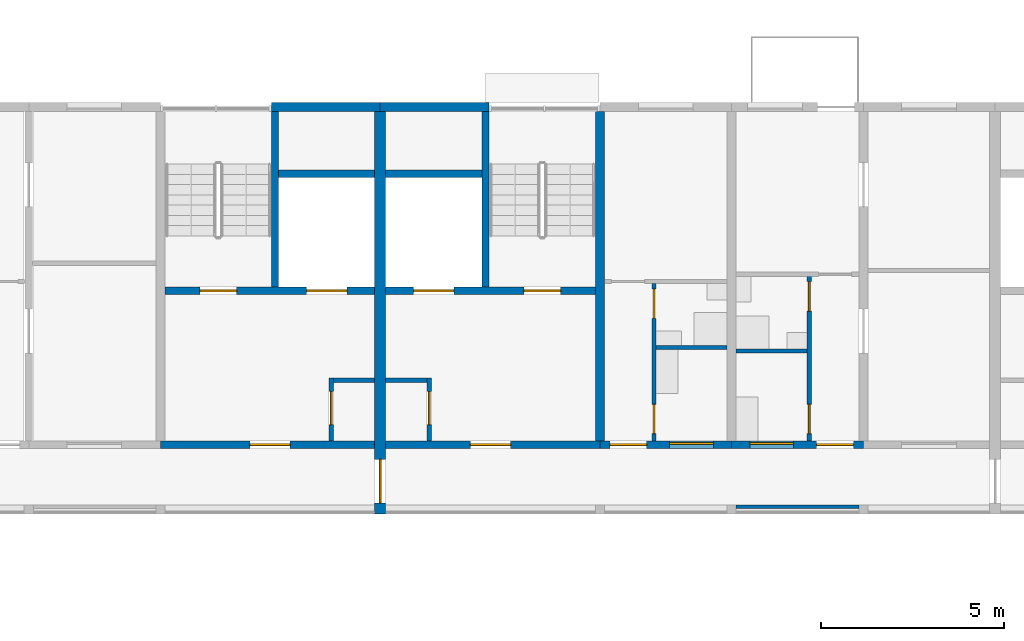
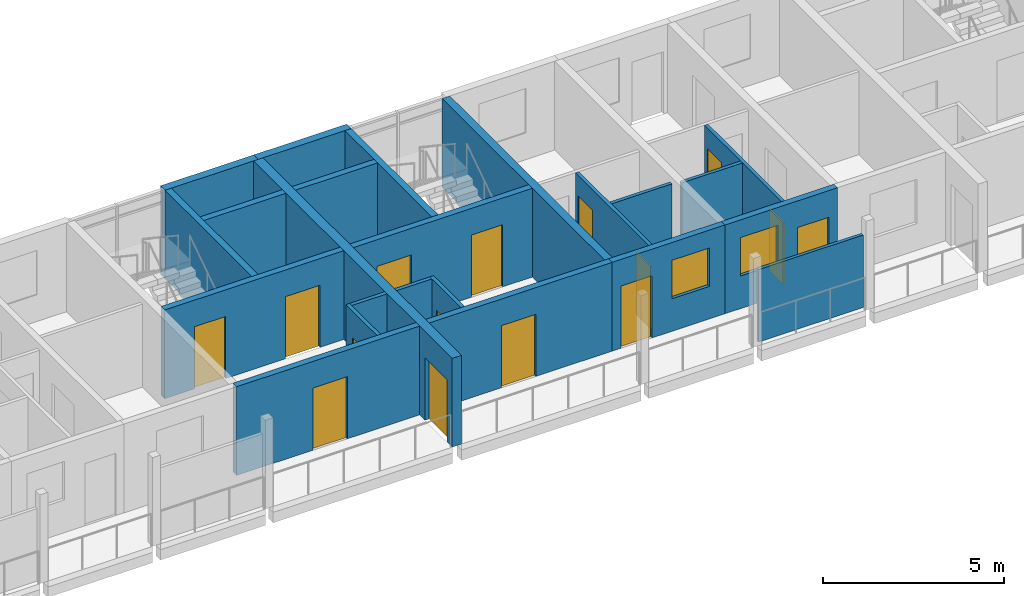
# One storey, part 77 of 122: 23 walls, 15 doors, 2 windows, 17 openings.
"""IFC4 building model written with IfcOpenShell, lengths in metres."""

from ifc_helpers import new_model, si_unit, direction, frame, frame_2d, origin, place, context, subcontext, project, spatial, rectangle, extrude, material, layer, layer_set, type_object, element, fill, save


model = new_model("IFC4")

# Units and contexts
model_context = context("Model", 3, precision=1e-05, world=origin(), true_north=direction((0.0, 1.0)))
body_context = subcontext(model_context, "Body", "Model", "MODEL_VIEW")
ifc_project = project(units=[si_unit("LENGTHUNIT", "METRE"), si_unit("AREAUNIT", "SQUARE_METRE"), si_unit("VOLUMEUNIT", "CUBIC_METRE"), si_unit("PLANEANGLEUNIT", "RADIAN"), si_unit("MASSUNIT", "GRAM", prefix="KILO")], contexts=[model_context])

# Site, building, storey
site_placement = place(None, origin())
site = spatial("IfcSite", under=ifc_project, at=site_placement, CompositionType="ELEMENT")
building_placement = place(site_placement, origin())
building = spatial("IfcBuilding", under=site, at=building_placement, Name="Ridgestep Commons", CompositionType="ELEMENT")
storey_placement = place(building_placement, frame((0.0, 0.0, 3.0)))
storey = spatial("IfcBuildingStorey", under=building, at=storey_placement, Name="L01", CompositionType="ELEMENT", Elevation=3.0)

# Wall
ifc_material_1 = material(Name="Concrete C30/37", Category="concrete")
ifc_layer_1 = layer(ifc_material_1, 0.25)
ifc_layer_set_1 = layer_set([ifc_layer_1], Name="Core cross wall 250")
wall_type_1 = type_object("IfcWallType", Name="Core cross wall 250", PredefinedType="SHEAR", material=ifc_layer_set_1)
wall_1_placement = place(storey_placement, frame((186.39990234375, 68.0, 0.0), z_axis=(0.0, 0.0, 1.0), x_axis=(0.0, 1.0, 0.0)))
element("IfcWall", 1, at=wall_1_placement, inside=storey, type_object=wall_type_1, Name="Cross wall C-01-1864", PredefinedType="SHEAR", context=body_context, shape_type="SweptSolid", body=[
    extrude(rectangle(XDim=9.0, YDim=0.25, at=frame_2d((4.5, 0.0))), origin(), (0.0, 0.0, 1.0), 3.0),
])

# Wall, opening, door
ifc_material_2 = material(Name="Concrete C30/37", Category="concrete")
ifc_layer_2 = layer(ifc_material_2, 0.199951171875)
ifc_layer_set_2 = layer_set([ifc_layer_2], Name="Core south wall 200")
wall_type_2 = type_object("IfcWallType", Name="Core south wall 200", PredefinedType="SHEAR", material=ifc_layer_set_2)
wall_2_placement = place(storey_placement, frame((174.39990234375, 67.89990234375, 0.0), z_axis=(0.0, 0.0, 1.0), x_axis=(1.0, 0.0, 0.0)))
wall_2 = element("IfcWall", 2, at=wall_2_placement, inside=storey, type_object=wall_type_2, Name="Core south wall C2C L01", PredefinedType="SHEAR", context=body_context, shape_type="SweptSolid", body=[
    extrude(rectangle(XDim=5.85009765625, YDim=0.199951171875, at=frame_2d((2.925048828125, 0.0))), origin(), (0.0, 0.0, 1.0), 3.0),
])
opening_1_placement = place(wall_2_placement, frame((2.4375, 0.0, 0.0)))
opening_1 = element("IfcOpeningElement", 3, at=opening_1_placement, cuts=wall_2, Name="Opening C2C/01/1", PredefinedType="OPENING", context=body_context, shape_type="SweptSolid", body=[
    extrude(rectangle(XDim=1.10009765625, YDim=2.10009765625, at=frame_2d((0.550048828125, 1.050048828125))), frame((0.0, 0.10986328125, 0.0), z_axis=(0.0, -1.0, 0.0), x_axis=(1.0, 0.0, 0.0)), (0.0, 0.0, 1.0), 0.219970703125),
])
ifc_material_3 = material(Name="Steel fire door", Category="steel")
door_type_1 = type_object("IfcDoorType", Name="Lobby door 1100 x 2100 FD60", OperationType="NOTDEFINED", PredefinedType="DOOR", material=ifc_material_3)
door_1_placement = place(opening_1_placement, origin())
door_1 = element("IfcDoor", 4, at=door_1_placement, inside=storey, type_object=door_type_1, Name="Lobby door C2C/01/1", OperationType="SINGLE_SWING_LEFT", OverallHeight=2.10009765625, OverallWidth=1.10009765625, PredefinedType="DOOR", context=body_context, shape_type="SweptSolid", body=[
    extrude(rectangle(XDim=1.10009765625, YDim=2.10009765625, at=frame_2d((0.550048828125, 1.050048828125))), frame((0.0, 0.02490234375, 0.0), z_axis=(0.0, -1.0, 0.0), x_axis=(1.0, 0.0, 0.0)), (0.0, 0.0, 1.0), 0.050048828125),
])
fill(opening_1, door_1)

wall_3_placement = place(storey_placement, frame((180.550048828125, 67.89990234375, 0.0), z_axis=(0.0, 0.0, 1.0), x_axis=(1.0, 0.0, 0.0)))
wall_3 = element("IfcWall", 5, at=wall_3_placement, inside=storey, type_object=wall_type_2, Name="Core south wall C3C L01", PredefinedType="SHEAR", context=body_context, shape_type="SweptSolid", body=[
    extrude(rectangle(XDim=5.849853515625, YDim=0.199951171875, at=frame_2d((2.9248046875, 0.0))), origin(), (0.0, 0.0, 1.0), 3.0),
])
opening_2_placement = place(wall_3_placement, frame((2.3125, 0.0, 0.0)))
opening_2 = element("IfcOpeningElement", 6, at=opening_2_placement, cuts=wall_3, Name="Opening C3C/01/1", PredefinedType="OPENING", context=body_context, shape_type="SweptSolid", body=[
    extrude(rectangle(XDim=1.10009765625, YDim=2.10009765625, at=frame_2d((0.550048828125, 1.050048828125))), frame((0.0, 0.10986328125, 0.0), z_axis=(0.0, -1.0, 0.0), x_axis=(1.0, 0.0, 0.0)), (0.0, 0.0, 1.0), 0.219970703125),
])
door_2_placement = place(opening_2_placement, origin())
door_2 = element("IfcDoor", 7, at=door_2_placement, inside=storey, type_object=door_type_1, Name="Lobby door C3C/01/1", OperationType="SINGLE_SWING_LEFT", OverallHeight=2.10009765625, OverallWidth=1.10009765625, PredefinedType="DOOR", context=body_context, shape_type="SweptSolid", body=[
    extrude(rectangle(XDim=1.10009765625, YDim=2.10009765625, at=frame_2d((0.550048828125, 1.050048828125))), frame((0.0, 0.02490234375, 0.0), z_axis=(0.0, -1.0, 0.0), x_axis=(1.0, 0.0, 0.0)), (0.0, 0.0, 1.0), 0.050048828125),
])
fill(opening_2, door_2)

ifc_material_4 = material(Name="Concrete C30/37", Category="concrete")
ifc_layer_3 = layer(ifc_material_4, 0.1201171875)
ifc_layer_set_3 = layer_set([ifc_layer_3], Name="Core wall 120")
wall_type_3 = type_object("IfcWallType", Name="Core wall 120", PredefinedType="SHEAR", material=ifc_layer_set_3)
wall_4_placement = place(storey_placement, frame((179.06005859375, 68.0, 0.0), z_axis=(0.0, 0.0, 1.0), x_axis=(0.0, 1.0, 0.0)))
wall_4 = element("IfcWall", 8, at=wall_4_placement, inside=storey, type_object=wall_type_3, Name="Core riser w wall C2C L01", PredefinedType="SHEAR", context=body_context, shape_type="SweptSolid", body=[
    extrude(rectangle(XDim=1.719970703125, YDim=0.1201171875, at=frame_2d((0.85986328125, 0.0))), origin(), (0.0, 0.0, 1.0), 3.0),
])
opening_3_placement = place(wall_4_placement, frame((0.449951171875, 0.0, 0.0)))
opening_3 = element("IfcOpeningElement", 9, at=opening_3_placement, cuts=wall_4, Name="Opening C2C/01/4", PredefinedType="OPENING", context=body_context, shape_type="SweptSolid", body=[
    extrude(rectangle(XDim=0.89990234375, YDim=2.10009765625, at=frame_2d((0.449951171875, 1.050048828125))), frame((0.0, 0.070068359375, 0.0), z_axis=(0.0, -1.0, 0.0), x_axis=(1.0, 0.0, 0.0)), (0.0, 0.0, 1.0), 0.14013671875),
])
ifc_material_5 = material(Name="Steel fire door", Category="steel")
door_type_2 = type_object("IfcDoorType", Name="Riser door 900 x 2100 FD60", OperationType="NOTDEFINED", PredefinedType="DOOR", material=ifc_material_5)
door_3_placement = place(opening_3_placement, origin())
door_3 = element("IfcDoor", 10, at=door_3_placement, inside=storey, type_object=door_type_2, Name="Riser door C2C/01/4", OperationType="SINGLE_SWING_LEFT", OverallHeight=2.10009765625, OverallWidth=0.89990234375, PredefinedType="DOOR", context=body_context, shape_type="SweptSolid", body=[
    extrude(rectangle(XDim=0.89990234375, YDim=2.10009765625, at=frame_2d((0.449951171875, 1.050048828125))), frame((0.0, 0.02490234375, 0.0), z_axis=(0.0, -1.0, 0.0), x_axis=(1.0, 0.0, 0.0)), (0.0, 0.0, 1.0), 0.050048828125),
])
fill(opening_3, door_3)

# Wall
wall_5_placement = place(storey_placement, frame((179.1201171875, 69.659912109375, 0.0), z_axis=(0.0, 0.0, 1.0), x_axis=(1.0, 0.0, 0.0)))
element("IfcWall", 11, at=wall_5_placement, inside=storey, type_object=wall_type_3, Name="Core riser n wall C2C L01", PredefinedType="SHEAR", context=body_context, shape_type="SweptSolid", body=[
    extrude(rectangle(XDim=1.1298828125, YDim=0.1201171875, at=frame_2d((0.56494140625, 0.0))), origin(), (0.0, 0.0, 1.0), 3.0),
])

# Wall, opening, door
wall_6_placement = place(storey_placement, frame((181.739990234375, 68.0, 0.0), z_axis=(0.0, 0.0, 1.0), x_axis=(0.0, 1.0, 0.0)))
wall_6 = element("IfcWall", 12, at=wall_6_placement, inside=storey, type_object=wall_type_3, Name="Core riser w wall C3C L01", PredefinedType="SHEAR", context=body_context, shape_type="SweptSolid", body=[
    extrude(rectangle(XDim=1.719970703125, YDim=0.1201171875, at=frame_2d((0.85986328125, 0.0))), origin(), (0.0, 0.0, 1.0), 3.0),
])
opening_4_placement = place(wall_6_placement, frame((0.449951171875, 0.0, 0.0)))
opening_4 = element("IfcOpeningElement", 13, at=opening_4_placement, cuts=wall_6, Name="Opening C3C/01/4", PredefinedType="OPENING", context=body_context, shape_type="SweptSolid", body=[
    extrude(rectangle(XDim=0.89990234375, YDim=2.10009765625, at=frame_2d((0.449951171875, 1.050048828125))), frame((0.0, 0.070068359375, 0.0), z_axis=(0.0, -1.0, 0.0), x_axis=(1.0, 0.0, 0.0)), (0.0, 0.0, 1.0), 0.14013671875),
])
door_4_placement = place(opening_4_placement, origin())
door_4 = element("IfcDoor", 14, at=door_4_placement, inside=storey, type_object=door_type_2, Name="Riser door C3C/01/4", OperationType="SINGLE_SWING_RIGHT", OverallHeight=2.10009765625, OverallWidth=0.89990234375, PredefinedType="DOOR", context=body_context, shape_type="SweptSolid", body=[
    extrude(rectangle(XDim=0.89990234375, YDim=2.10009765625, at=frame_2d((0.449951171875, 1.050048828125))), frame((0.0, 0.02490234375, 0.0), z_axis=(0.0, -1.0, 0.0), x_axis=(1.0, 0.0, 0.0)), (0.0, 0.0, 1.0), 0.050048828125),
])
fill(opening_4, door_4)

# Wall
wall_7_placement = place(storey_placement, frame((180.550048828125, 69.659912109375, 0.0), z_axis=(0.0, 0.0, 1.0), x_axis=(1.0, 0.0, 0.0)))
element("IfcWall", 15, at=wall_7_placement, inside=storey, type_object=wall_type_3, Name="Core riser n wall C3C L01", PredefinedType="SHEAR", context=body_context, shape_type="SweptSolid", body=[
    extrude(rectangle(XDim=1.1298828125, YDim=0.1201171875, at=frame_2d((0.56494140625, 0.0))), origin(), (0.0, 0.0, 1.0), 3.0),
])

# Wall, openings, doors
ifc_material_6 = material(Name="Concrete C30/37", Category="concrete")
ifc_layer_4 = layer(ifc_material_6, 0.199951171875)
ifc_layer_set_4 = layer_set([ifc_layer_4], Name="Core wall 200")
wall_type_4 = type_object("IfcWallType", Name="Core wall 200", PredefinedType="SHEAR", material=ifc_layer_set_4)
wall_8_placement = place(storey_placement, frame((174.52490234375, 72.10009765625, 0.0), z_axis=(0.0, 0.0, 1.0), x_axis=(1.0, 0.0, 0.0)))
wall_8 = element("IfcWall", 16, at=wall_8_placement, inside=storey, type_object=wall_type_4, Name="Core lobby wall C2C L01", PredefinedType="SHEAR", context=body_context, shape_type="SweptSolid", body=[
    extrude(rectangle(XDim=5.72509765625, YDim=0.199951171875, at=frame_2d((2.862548828125, 0.0))), origin(), (0.0, 0.0, 1.0), 3.0),
])
opening_5_placement = place(wall_8_placement, frame((0.949951171875, 0.0, 0.0)))
opening_5 = element("IfcOpeningElement", 17, at=opening_5_placement, cuts=wall_8, Name="Opening C2C/01/2", PredefinedType="OPENING", context=body_context, shape_type="SweptSolid", body=[
    extrude(rectangle(XDim=1.0, YDim=2.10009765625, at=frame_2d((0.5, 1.050048828125))), frame((0.0, 0.10986328125, 0.0), z_axis=(0.0, -1.0, 0.0), x_axis=(1.0, 0.0, 0.0)), (0.0, 0.0, 1.0), 0.219970703125),
])
opening_6_placement = place(wall_8_placement, frame((3.862548828125, 0.0, 0.0)))
opening_6 = element("IfcOpeningElement", 18, at=opening_6_placement, cuts=wall_8, Name="Opening C2C/01/3", PredefinedType="OPENING", context=body_context, shape_type="SweptSolid", body=[
    extrude(rectangle(XDim=1.10009765625, YDim=2.10009765625, at=frame_2d((0.550048828125, 1.050048828125))), frame((0.0, 0.10986328125, 0.0), z_axis=(0.0, -1.0, 0.0), x_axis=(1.0, 0.0, 0.0)), (0.0, 0.0, 1.0), 0.219970703125),
])
ifc_material_7 = material(Name="Stainless steel", Category="steel")
door_type_3 = type_object("IfcDoorType", Name="Lift landing door 1100 x 2100 FD60", OperationType="DOUBLE_DOOR_SLIDING", PredefinedType="DOOR", material=ifc_material_7)
door_5_placement = place(opening_6_placement, origin())
door_5 = element("IfcDoor", 19, at=door_5_placement, inside=storey, type_object=door_type_3, Name="Landing door LD C2C L01", OperationType="DOUBLE_DOOR_SLIDING", OverallHeight=2.10009765625, OverallWidth=1.10009765625, PredefinedType="DOOR", context=body_context, shape_type="SweptSolid", body=[
    extrude(rectangle(XDim=1.10009765625, YDim=2.10009765625, at=frame_2d((0.550048828125, 1.050048828125))), frame((0.0, 0.02490234375, 0.0), z_axis=(0.0, -1.0, 0.0), x_axis=(1.0, 0.0, 0.0)), (0.0, 0.0, 1.0), 0.050048828125),
])
fill(opening_6, door_5)
ifc_material_8 = material(Name="Steel fire door", Category="steel")
door_type_4 = type_object("IfcDoorType", Name="Stair door 1000 x 2100 FD60", OperationType="NOTDEFINED", PredefinedType="DOOR", material=ifc_material_8)
door_6_placement = place(opening_5_placement, origin())
door_6 = element("IfcDoor", 20, at=door_6_placement, inside=storey, type_object=door_type_4, Name="Stair door C2C/01/2", OperationType="SINGLE_SWING_RIGHT", OverallHeight=2.10009765625, OverallWidth=1.0, PredefinedType="DOOR", context=body_context, shape_type="SweptSolid", body=[
    extrude(rectangle(XDim=1.0, YDim=2.10009765625, at=frame_2d((0.5, 1.050048828125))), frame((0.0, 0.02490234375, 0.0), z_axis=(0.0, -1.0, 0.0), x_axis=(1.0, 0.0, 0.0)), (0.0, 0.0, 1.0), 0.050048828125),
])
fill(opening_5, door_6)

# Walls
wall_9_placement = place(storey_placement, frame((177.52490234375, 72.199951171875, 0.0), z_axis=(0.0, 0.0, 1.0), x_axis=(0.0, 1.0, 0.0)))
element("IfcWall", 21, at=wall_9_placement, inside=storey, type_object=wall_type_4, Name="Core stair wall C2C L01", PredefinedType="SHEAR", context=body_context, shape_type="SweptSolid", body=[
    extrude(rectangle(XDim=4.800048828125, YDim=0.199951171875, at=frame_2d((2.39990234375, 0.0))), origin(), (0.0, 0.0, 1.0), 3.0),
])
wall_10_placement = place(storey_placement, frame((177.625, 75.300048828125, 0.0), z_axis=(0.0, 0.0, 1.0), x_axis=(1.0, 0.0, 0.0)))
element("IfcWall", 22, at=wall_10_placement, inside=storey, type_object=wall_type_4, Name="Core duct wall C2C L01", PredefinedType="SHEAR", context=body_context, shape_type="SweptSolid", body=[
    extrude(rectangle(XDim=2.625, YDim=0.199951171875, at=frame_2d((1.3125, 0.0))), origin(), (0.0, 0.0, 1.0), 3.0),
])

# Wall, openings, doors
wall_11_placement = place(storey_placement, frame((180.550048828125, 72.10009765625, 0.0), z_axis=(0.0, 0.0, 1.0), x_axis=(1.0, 0.0, 0.0)))
wall_11 = element("IfcWall", 23, at=wall_11_placement, inside=storey, type_object=wall_type_4, Name="Core lobby wall C3C L01", PredefinedType="SHEAR", context=body_context, shape_type="SweptSolid", body=[
    extrude(rectangle(XDim=5.724853515625, YDim=0.199951171875, at=frame_2d((2.8623046875, 0.0))), origin(), (0.0, 0.0, 1.0), 3.0),
])
opening_7_placement = place(wall_11_placement, frame((3.77490234375, 0.0, 0.0)))
opening_7 = element("IfcOpeningElement", 24, at=opening_7_placement, cuts=wall_11, Name="Opening C3C/01/2", PredefinedType="OPENING", context=body_context, shape_type="SweptSolid", body=[
    extrude(rectangle(XDim=1.0, YDim=2.10009765625, at=frame_2d((0.5, 1.050048828125))), frame((0.0, 0.10986328125, 0.0), z_axis=(0.0, -1.0, 0.0), x_axis=(1.0, 0.0, 0.0)), (0.0, 0.0, 1.0), 0.219970703125),
])
opening_8_placement = place(wall_11_placement, frame((0.762451171875, 0.0, 0.0)))
opening_8 = element("IfcOpeningElement", 25, at=opening_8_placement, cuts=wall_11, Name="Opening C3C/01/3", PredefinedType="OPENING", context=body_context, shape_type="SweptSolid", body=[
    extrude(rectangle(XDim=1.10009765625, YDim=2.10009765625, at=frame_2d((0.550048828125, 1.050048828125))), frame((0.0, 0.10986328125, 0.0), z_axis=(0.0, -1.0, 0.0), x_axis=(1.0, 0.0, 0.0)), (0.0, 0.0, 1.0), 0.219970703125),
])
door_7_placement = place(opening_8_placement, origin())
door_7 = element("IfcDoor", 26, at=door_7_placement, inside=storey, type_object=door_type_3, Name="Landing door LD C3C L01", OperationType="DOUBLE_DOOR_SLIDING", OverallHeight=2.10009765625, OverallWidth=1.10009765625, PredefinedType="DOOR", context=body_context, shape_type="SweptSolid", body=[
    extrude(rectangle(XDim=1.10009765625, YDim=2.10009765625, at=frame_2d((0.550048828125, 1.050048828125))), frame((0.0, 0.02490234375, 0.0), z_axis=(0.0, -1.0, 0.0), x_axis=(1.0, 0.0, 0.0)), (0.0, 0.0, 1.0), 0.050048828125),
])
fill(opening_8, door_7)
door_8_placement = place(opening_7_placement, origin())
door_8 = element("IfcDoor", 27, at=door_8_placement, inside=storey, type_object=door_type_4, Name="Stair door C3C/01/2", OperationType="SINGLE_SWING_RIGHT", OverallHeight=2.10009765625, OverallWidth=1.0, PredefinedType="DOOR", context=body_context, shape_type="SweptSolid", body=[
    extrude(rectangle(XDim=1.0, YDim=2.10009765625, at=frame_2d((0.5, 1.050048828125))), frame((0.0, 0.02490234375, 0.0), z_axis=(0.0, -1.0, 0.0), x_axis=(1.0, 0.0, 0.0)), (0.0, 0.0, 1.0), 0.050048828125),
])
fill(opening_7, door_8)

# Walls
wall_12_placement = place(storey_placement, frame((183.27490234375, 72.199951171875, 0.0), z_axis=(0.0, 0.0, 1.0), x_axis=(0.0, 1.0, 0.0)))
element("IfcWall", 28, at=wall_12_placement, inside=storey, type_object=wall_type_4, Name="Core stair wall C3C L01", PredefinedType="SHEAR", context=body_context, shape_type="SweptSolid", body=[
    extrude(rectangle(XDim=4.800048828125, YDim=0.199951171875, at=frame_2d((2.39990234375, 0.0))), origin(), (0.0, 0.0, 1.0), 3.0),
])
wall_13_placement = place(storey_placement, frame((180.550048828125, 75.300048828125, 0.0), z_axis=(0.0, 0.0, 1.0), x_axis=(1.0, 0.0, 0.0)))
element("IfcWall", 29, at=wall_13_placement, inside=storey, type_object=wall_type_4, Name="Core duct wall C3C L01", PredefinedType="SHEAR", context=body_context, shape_type="SweptSolid", body=[
    extrude(rectangle(XDim=2.625, YDim=0.199951171875, at=frame_2d((1.3125, 0.0))), origin(), (0.0, 0.0, 1.0), 3.0),
])

# Wall, opening, door
ifc_material_9 = material(Name="Precast concrete C40/50", Category="concrete")
ifc_layer_5 = layer(ifc_material_9, 0.300048828125)
ifc_layer_set_5 = layer_set([ifc_layer_5], Name="Division wall 300")
wall_type_5 = type_object("IfcWallType", Name="Division wall 300", PredefinedType="SHEAR", material=ifc_layer_set_5)
wall_14_placement = place(storey_placement, frame((180.39990234375, 66.0, 0.0), z_axis=(0.0, 0.0, 1.0), x_axis=(0.0, 1.0, 0.0)))
wall_14 = element("IfcWall", 30, at=wall_14_placement, inside=storey, type_object=wall_type_5, Name="Cross wall C-01-1804", PredefinedType="SHEAR", context=body_context, shape_type="SweptSolid", body=[
    extrude(rectangle(XDim=11.0, YDim=0.300048828125, at=frame_2d((5.5, 0.0))), origin(), (0.0, 0.0, 1.0), 3.0),
])
opening_9_placement = place(wall_14_placement, frame((0.300048828125, 0.0, 0.0)))
opening_9 = element("IfcOpeningElement", 31, at=opening_9_placement, cuts=wall_14, Name="Opening C/01/G1804", PredefinedType="OPENING", context=body_context, shape_type="SweptSolid", body=[
    extrude(rectangle(XDim=1.199951171875, YDim=2.10009765625, at=frame_2d((0.60009765625, 1.050048828125))), frame((0.0, 0.159912109375, 0.0), z_axis=(0.0, -1.0, 0.0), x_axis=(1.0, 0.0, 0.0)), (0.0, 0.0, 1.0), 0.320068359375),
])
ifc_material_10 = material(Name="Steel fire door", Category="steel")
door_type_5 = type_object("IfcDoorType", Name="Division fire door 1200 x 2100 EI 240", OperationType="DOUBLE_DOOR_SINGLE_SWING", PredefinedType="DOOR", material=ifc_material_10)
door_9_placement = place(opening_9_placement, origin())
door_9 = element("IfcDoor", 32, at=door_9_placement, inside=storey, type_object=door_type_5, Name="Division fire door C/01/G1804", OperationType="DOUBLE_DOOR_SINGLE_SWING", OverallHeight=2.10009765625, OverallWidth=1.199951171875, PredefinedType="DOOR", context=body_context, shape_type="SweptSolid", body=[
    extrude(rectangle(XDim=1.199951171875, YDim=2.10009765625, at=frame_2d((0.60009765625, 1.050048828125))), frame((0.0, 0.02490234375, 0.0), z_axis=(0.0, -1.0, 0.0), x_axis=(1.0, 0.0, 0.0)), (0.0, 0.0, 1.0), 0.050048828125),
])
fill(opening_9, door_9)

# Walls
ifc_material_11 = material(Name="Precast concrete C40/50", Category="concrete")
ifc_layer_6 = layer(ifc_material_11, 0.25)
ifc_layer_set_6 = layer_set([ifc_layer_6], Name="North facade panel 250")
wall_type_6 = type_object("IfcWallType", Name="North facade panel 250", PredefinedType="SOLIDWALL", material=ifc_layer_set_6)
wall_15_placement = place(storey_placement, frame((177.425048828125, 77.125, 0.0), z_axis=(0.0, 0.0, 1.0), x_axis=(1.0, 0.0, 0.0)))
element("IfcWall", 33, at=wall_15_placement, inside=storey, type_object=wall_type_6, Name="North panel C2C L01", PredefinedType="SOLIDWALL", context=body_context, shape_type="SweptSolid", body=[
    extrude(rectangle(XDim=2.974853515625, YDim=0.25, at=frame_2d((1.4873046875, 0.0))), origin(), (0.0, 0.0, 1.0), 3.0),
])
wall_16_placement = place(storey_placement, frame((180.39990234375, 77.125, 0.0), z_axis=(0.0, 0.0, 1.0), x_axis=(1.0, 0.0, 0.0)))
element("IfcWall", 34, at=wall_16_placement, inside=storey, type_object=wall_type_6, Name="North panel C3C L01", PredefinedType="SOLIDWALL", context=body_context, shape_type="SweptSolid", body=[
    extrude(rectangle(XDim=2.97509765625, YDim=0.25, at=frame_2d((1.487548828125, 0.0))), origin(), (0.0, 0.0, 1.0), 3.0),
])
ifc_material_12 = material(Name="Common brick 110 mm", Category="masonry")
ifc_layer_7 = layer(ifc_material_12, 0.110107421875)
ifc_layer_set_7 = layer_set([ifc_layer_7], Name="Partition 110")
wall_type_7 = type_object("IfcWallType", Name="Partition 110", PredefinedType="PARTITIONING", material=ifc_layer_set_7)
wall_17_placement = place(storey_placement, frame((190.125, 70.455078125, 0.0), z_axis=(0.0, 0.0, 1.0), x_axis=(1.0, 0.0, 0.0)))
element("IfcWall", 35, at=wall_17_placement, inside=storey, type_object=wall_type_7, Name="Partition C3-01a", PredefinedType="PARTITIONING", context=body_context, shape_type="SweptSolid", body=[
    extrude(rectangle(XDim=1.93994140625, YDim=0.110107421875, at=frame_2d((0.969970703125, 0.0))), origin(), (0.0, 0.0, 1.0), 2.800048828125),
])

# Wall, openings, doors
wall_18_placement = place(storey_placement, frame((192.1201171875, 68.0, 0.0), z_axis=(0.0, 0.0, 1.0), x_axis=(0.0, 1.0, 0.0)))
wall_18 = element("IfcWall", 36, at=wall_18_placement, inside=storey, type_object=wall_type_7, Name="Partition C3-01a", PredefinedType="PARTITIONING", context=body_context, shape_type="SweptSolid", body=[
    extrude(rectangle(XDim=4.5, YDim=0.110107421875, at=frame_2d((2.25, 0.0))), origin(), (0.0, 0.0, 1.0), 2.800048828125),
])
opening_10_placement = place(wall_18_placement, frame((0.199951171875, 0.0, 0.0)))
opening_10 = element("IfcOpeningElement", 37, at=opening_10_placement, cuts=wall_18, Name="Opening C3-01a/2", PredefinedType="OPENING", context=body_context, shape_type="SweptSolid", body=[
    extrude(rectangle(XDim=0.800048828125, YDim=2.10009765625, at=frame_2d((0.39990234375, 1.050048828125))), frame((0.0, 0.06494140625, 0.0), z_axis=(0.0, -1.0, 0.0), x_axis=(1.0, 0.0, 0.0)), (0.0, 0.0, 1.0), 0.130126953125),
])
opening_11_placement = place(wall_18_placement, frame((3.550048828125, 0.0, 0.0)))
opening_11 = element("IfcOpeningElement", 38, at=opening_11_placement, cuts=wall_18, Name="Opening C3-01a/3", PredefinedType="OPENING", context=body_context, shape_type="SweptSolid", body=[
    extrude(rectangle(XDim=0.800048828125, YDim=2.10009765625, at=frame_2d((0.39990234375, 1.050048828125))), frame((0.0, 0.06494140625, 0.0), z_axis=(0.0, -1.0, 0.0), x_axis=(1.0, 0.0, 0.0)), (0.0, 0.0, 1.0), 0.130126953125),
])
ifc_material_13 = material(Name="Timber door leaf", Category="wood")
door_type_6 = type_object("IfcDoorType", Name="Internal door 800 x 2100", OperationType="NOTDEFINED", PredefinedType="DOOR", material=ifc_material_13)
door_10_placement = place(opening_10_placement, origin())
door_10 = element("IfcDoor", 39, at=door_10_placement, inside=storey, type_object=door_type_6, Name="Internal door C3-01a/2", OperationType="SINGLE_SWING_LEFT", OverallHeight=2.10009765625, OverallWidth=0.800048828125, PredefinedType="DOOR", context=body_context, shape_type="SweptSolid", body=[
    extrude(rectangle(XDim=0.800048828125, YDim=2.10009765625, at=frame_2d((0.39990234375, 1.050048828125))), frame((0.0, 0.02490234375, 0.0), z_axis=(0.0, -1.0, 0.0), x_axis=(1.0, 0.0, 0.0)), (0.0, 0.0, 1.0), 0.050048828125),
])
fill(opening_10, door_10)
door_11_placement = place(opening_11_placement, origin())
door_11 = element("IfcDoor", 40, at=door_11_placement, inside=storey, type_object=door_type_6, Name="Internal door C3-01a/3", OperationType="SINGLE_SWING_RIGHT", OverallHeight=2.10009765625, OverallWidth=0.800048828125, PredefinedType="DOOR", context=body_context, shape_type="SweptSolid", body=[
    extrude(rectangle(XDim=0.800048828125, YDim=2.10009765625, at=frame_2d((0.39990234375, 1.050048828125))), frame((0.0, 0.02490234375, 0.0), z_axis=(0.0, -1.0, 0.0), x_axis=(1.0, 0.0, 0.0)), (0.0, 0.0, 1.0), 0.050048828125),
])
fill(opening_11, door_11)

wall_19_placement = place(storey_placement, frame((187.8798828125, 68.0, 0.0), z_axis=(0.0, 0.0, 1.0), x_axis=(0.0, 1.0, 0.0)))
wall_19 = element("IfcWall", 41, at=wall_19_placement, inside=storey, type_object=wall_type_7, Name="Partition C3-01b", PredefinedType="PARTITIONING", context=body_context, shape_type="SweptSolid", body=[
    extrude(rectangle(XDim=4.300048828125, YDim=0.110107421875, at=frame_2d((2.14990234375, 0.0))), origin(), (0.0, 0.0, 1.0), 2.800048828125),
])
opening_12_placement = place(wall_19_placement, frame((0.199951171875, 0.0, 0.0)))
opening_12 = element("IfcOpeningElement", 42, at=opening_12_placement, cuts=wall_19, Name="Opening C3-01b/2", PredefinedType="OPENING", context=body_context, shape_type="SweptSolid", body=[
    extrude(rectangle(XDim=0.800048828125, YDim=2.10009765625, at=frame_2d((0.39990234375, 1.050048828125))), frame((0.0, 0.06494140625, 0.0), z_axis=(0.0, -1.0, 0.0), x_axis=(1.0, 0.0, 0.0)), (0.0, 0.0, 1.0), 0.130126953125),
])
opening_13_placement = place(wall_19_placement, frame((3.35009765625, 0.0, 0.0)))
opening_13 = element("IfcOpeningElement", 43, at=opening_13_placement, cuts=wall_19, Name="Opening C3-01b/3", PredefinedType="OPENING", context=body_context, shape_type="SweptSolid", body=[
    extrude(rectangle(XDim=0.800048828125, YDim=2.10009765625, at=frame_2d((0.39990234375, 1.050048828125))), frame((0.0, 0.06494140625, 0.0), z_axis=(0.0, -1.0, 0.0), x_axis=(1.0, 0.0, 0.0)), (0.0, 0.0, 1.0), 0.130126953125),
])
door_12_placement = place(opening_12_placement, origin())
door_12 = element("IfcDoor", 44, at=door_12_placement, inside=storey, type_object=door_type_6, Name="Internal door C3-01b/2", OperationType="SINGLE_SWING_RIGHT", OverallHeight=2.10009765625, OverallWidth=0.800048828125, PredefinedType="DOOR", context=body_context, shape_type="SweptSolid", body=[
    extrude(rectangle(XDim=0.800048828125, YDim=2.10009765625, at=frame_2d((0.39990234375, 1.050048828125))), frame((0.0, 0.02490234375, 0.0), z_axis=(0.0, -1.0, 0.0), x_axis=(1.0, 0.0, 0.0)), (0.0, 0.0, 1.0), 0.050048828125),
])
fill(opening_12, door_12)
door_13_placement = place(opening_13_placement, origin())
door_13 = element("IfcDoor", 45, at=door_13_placement, inside=storey, type_object=door_type_6, Name="Internal door C3-01b/3", OperationType="SINGLE_SWING_LEFT", OverallHeight=2.10009765625, OverallWidth=0.800048828125, PredefinedType="DOOR", context=body_context, shape_type="SweptSolid", body=[
    extrude(rectangle(XDim=0.800048828125, YDim=2.10009765625, at=frame_2d((0.39990234375, 1.050048828125))), frame((0.0, 0.02490234375, 0.0), z_axis=(0.0, -1.0, 0.0), x_axis=(1.0, 0.0, 0.0)), (0.0, 0.0, 1.0), 0.050048828125),
])
fill(opening_13, door_13)

# Walls
wall_20_placement = place(storey_placement, frame((187.93505859375, 70.554931640625, 0.0), z_axis=(0.0, 0.0, 1.0), x_axis=(1.0, 0.0, 0.0)))
element("IfcWall", 46, at=wall_20_placement, inside=storey, type_object=wall_type_7, Name="Partition C3-01b", PredefinedType="PARTITIONING", context=body_context, shape_type="SweptSolid", body=[
    extrude(rectangle(XDim=1.93994140625, YDim=0.110107421875, at=frame_2d((0.969970703125, 0.0))), origin(), (0.0, 0.0, 1.0), 2.800048828125),
])
ifc_material_14 = material(Name="Precast concrete C30/37", Category="concrete")
ifc_layer_8 = layer(ifc_material_14, 0.10009765625)
ifc_layer_set_8 = layer_set([ifc_layer_8], Name="Perforated gallery screen 3350 x 2450 x 100")
wall_type_8 = type_object("IfcWallType", Name="Perforated gallery screen 3350 x 2450 x 100", PredefinedType="SOLIDWALL", material=ifc_layer_set_8)
wall_21_placement = place(storey_placement, frame((190.125, 66.199951171875, 0.0), z_axis=(0.0, 0.0, 1.0), x_axis=(1.0, 0.0, 0.0)))
element("IfcWall", 47, at=wall_21_placement, inside=storey, type_object=wall_type_8, Name="Gallery screen C3T2 01", PredefinedType="SOLIDWALL", context=body_context, shape_type="SweptSolid", body=[
    extrude(rectangle(XDim=3.35009765625, YDim=0.10009765625, at=frame_2d((1.675048828125, 0.0))), origin(), (0.0, 0.0, 1.0), 2.449951171875),
])

# Wall, openings, door, window
ifc_material_15 = material(Name="Precast concrete C40/50", Category="concrete")
ifc_layer_9 = layer(ifc_material_15, 0.199951171875)
ifc_layer_set_9 = layer_set([ifc_layer_9], Name="South facade panel 200")
wall_type_9 = type_object("IfcWallType", Name="South facade panel 200", PredefinedType="SOLIDWALL", material=ifc_layer_set_9)
wall_22_placement = place(storey_placement, frame((186.39990234375, 67.89990234375, 0.0), z_axis=(0.0, 0.0, 1.0), x_axis=(1.0, 0.0, 0.0)))
wall_22 = element("IfcWall", 48, at=wall_22_placement, inside=storey, type_object=wall_type_9, Name="South panel C3T3 L01", PredefinedType="SOLIDWALL", context=body_context, shape_type="SweptSolid", body=[
    extrude(rectangle(XDim=3.60009765625, YDim=0.199951171875, at=frame_2d((1.800048828125, 0.0))), origin(), (0.0, 0.0, 1.0), 3.0),
])
opening_14_placement = place(wall_22_placement, frame((1.905029296875, 0.0, 1.10009765625)))
opening_14 = element("IfcOpeningElement", 49, at=opening_14_placement, cuts=wall_22, Name="Opening W08", PredefinedType="OPENING", context=body_context, shape_type="SweptSolid", body=[
    extrude(rectangle(XDim=1.199951171875, YDim=1.300048828125, at=frame_2d((0.60009765625, 0.64990234375))), frame((0.0, 0.10986328125, 0.0), z_axis=(0.0, -1.0, 0.0), x_axis=(1.0, 0.0, 0.0)), (0.0, 0.0, 1.0), 0.219970703125),
])
opening_15_placement = place(wall_22_placement, frame((0.27490234375, 0.0, 0.0)))
opening_15 = element("IfcOpeningElement", 50, at=opening_15_placement, cuts=wall_22, Name="Opening C3-01b/1", PredefinedType="OPENING", context=body_context, shape_type="SweptSolid", body=[
    extrude(rectangle(XDim=1.0, YDim=2.10009765625, at=frame_2d((0.5, 1.050048828125))), frame((0.0, 0.10986328125, 0.0), z_axis=(0.0, -1.0, 0.0), x_axis=(1.0, 0.0, 0.0)), (0.0, 0.0, 1.0), 0.219970703125),
])
ifc_material_16 = material(Name="Timber door leaf", Category="wood")
door_type_7 = type_object("IfcDoorType", Name="Flat entrance door 1000 x 2100 FD30S", OperationType="NOTDEFINED", PredefinedType="DOOR", material=ifc_material_16)
door_14_placement = place(opening_15_placement, origin())
door_14 = element("IfcDoor", 51, at=door_14_placement, inside=storey, type_object=door_type_7, Name="Flat entrance door C3-01b/1", OperationType="SINGLE_SWING_LEFT", OverallHeight=2.10009765625, OverallWidth=1.0, PredefinedType="DOOR", context=body_context, shape_type="SweptSolid", body=[
    extrude(rectangle(XDim=1.0, YDim=2.10009765625, at=frame_2d((0.5, 1.050048828125))), frame((0.0, 0.02490234375, 0.0), z_axis=(0.0, -1.0, 0.0), x_axis=(1.0, 0.0, 0.0)), (0.0, 0.0, 1.0), 0.050048828125),
])
fill(opening_15, door_14)
ifc_material_17 = material(Name="Aluminium 6063-T6 and glass", Category="aluminium")
window_type = type_object("IfcWindowType", Name="Flat window 1200 x 1300", PartitioningType="SINGLE_PANEL", PredefinedType="WINDOW", material=ifc_material_17)
window_1_placement = place(opening_14_placement, origin())
window_1 = element("IfcWindow", 52, at=window_1_placement, inside=storey, type_object=window_type, Name="Window C3-01b 1", OverallHeight=1.300048828125, OverallWidth=1.199951171875, PartitioningType="SINGLE_PANEL", PredefinedType="WINDOW", context=body_context, shape_type="SweptSolid", body=[
    extrude(rectangle(XDim=1.199951171875, YDim=1.300048828125, at=frame_2d((0.60009765625, 0.64990234375))), frame((0.0, 0.06005859375, 0.0), z_axis=(0.0, -1.0, 0.0), x_axis=(1.0, 0.0, 0.0)), (0.0, 0.0, 1.0), 0.06005859375),
])
fill(opening_14, window_1)

wall_23_placement = place(storey_placement, frame((190.0, 67.89990234375, 0.0), z_axis=(0.0, 0.0, 1.0), x_axis=(1.0, 0.0, 0.0)))
wall_23 = element("IfcWall", 53, at=wall_23_placement, inside=storey, type_object=wall_type_9, Name="South panel C3T2 L01", PredefinedType="SOLIDWALL", context=body_context, shape_type="SweptSolid", body=[
    extrude(rectangle(XDim=3.60009765625, YDim=0.199951171875, at=frame_2d((1.800048828125, 0.0))), origin(), (0.0, 0.0, 1.0), 3.0),
])
opening_16_placement = place(wall_23_placement, frame((0.4951171875, 0.0, 1.10009765625)))
opening_16 = element("IfcOpeningElement", 54, at=opening_16_placement, cuts=wall_23, Name="Opening W08", PredefinedType="OPENING", context=body_context, shape_type="SweptSolid", body=[
    extrude(rectangle(XDim=1.199951171875, YDim=1.300048828125, at=frame_2d((0.60009765625, 0.64990234375))), frame((0.0, 0.10986328125, 0.0), z_axis=(0.0, -1.0, 0.0), x_axis=(1.0, 0.0, 0.0)), (0.0, 0.0, 1.0), 0.219970703125),
])
opening_17_placement = place(wall_23_placement, frame((2.324951171875, 0.0, 0.0)))
opening_17 = element("IfcOpeningElement", 55, at=opening_17_placement, cuts=wall_23, Name="Opening C3-01a/1", PredefinedType="OPENING", context=body_context, shape_type="SweptSolid", body=[
    extrude(rectangle(XDim=1.0, YDim=2.10009765625, at=frame_2d((0.5, 1.050048828125))), frame((0.0, 0.10986328125, 0.0), z_axis=(0.0, -1.0, 0.0), x_axis=(1.0, 0.0, 0.0)), (0.0, 0.0, 1.0), 0.219970703125),
])
door_15_placement = place(opening_17_placement, origin())
door_15 = element("IfcDoor", 56, at=door_15_placement, inside=storey, type_object=door_type_7, Name="Flat entrance door C3-01a/1", OperationType="SINGLE_SWING_RIGHT", OverallHeight=2.10009765625, OverallWidth=1.0, PredefinedType="DOOR", context=body_context, shape_type="SweptSolid", body=[
    extrude(rectangle(XDim=1.0, YDim=2.10009765625, at=frame_2d((0.5, 1.050048828125))), frame((0.0, 0.02490234375, 0.0), z_axis=(0.0, -1.0, 0.0), x_axis=(1.0, 0.0, 0.0)), (0.0, 0.0, 1.0), 0.050048828125),
])
fill(opening_17, door_15)
window_2_placement = place(opening_16_placement, origin())
window_2 = element("IfcWindow", 57, at=window_2_placement, inside=storey, type_object=window_type, Name="Window C3-01a 3", OverallHeight=1.300048828125, OverallWidth=1.199951171875, PartitioningType="SINGLE_PANEL", PredefinedType="WINDOW", context=body_context, shape_type="SweptSolid", body=[
    extrude(rectangle(XDim=1.199951171875, YDim=1.300048828125, at=frame_2d((0.60009765625, 0.64990234375))), frame((0.0, 0.06005859375, 0.0), z_axis=(0.0, -1.0, 0.0), x_axis=(1.0, 0.0, 0.0)), (0.0, 0.0, 1.0), 0.06005859375),
])
fill(opening_16, window_2)

save(model, "model.ifc")
